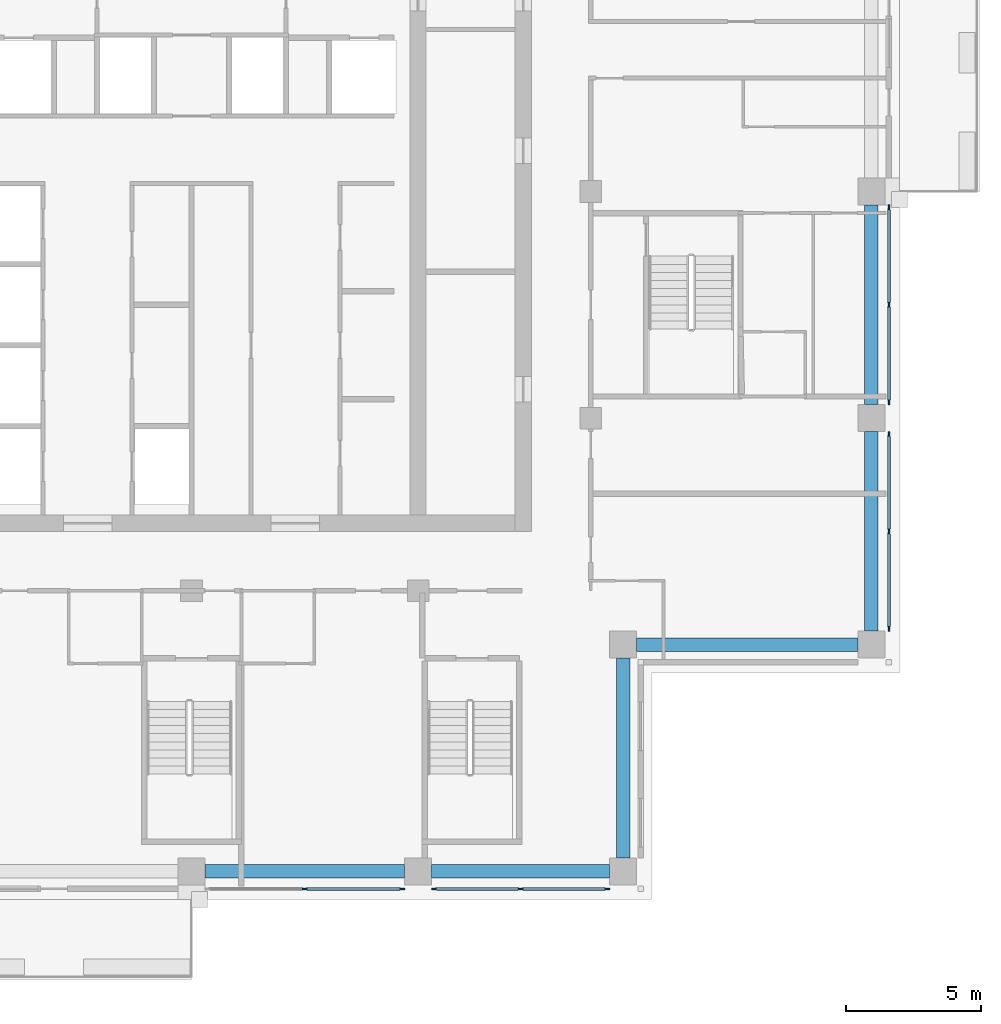
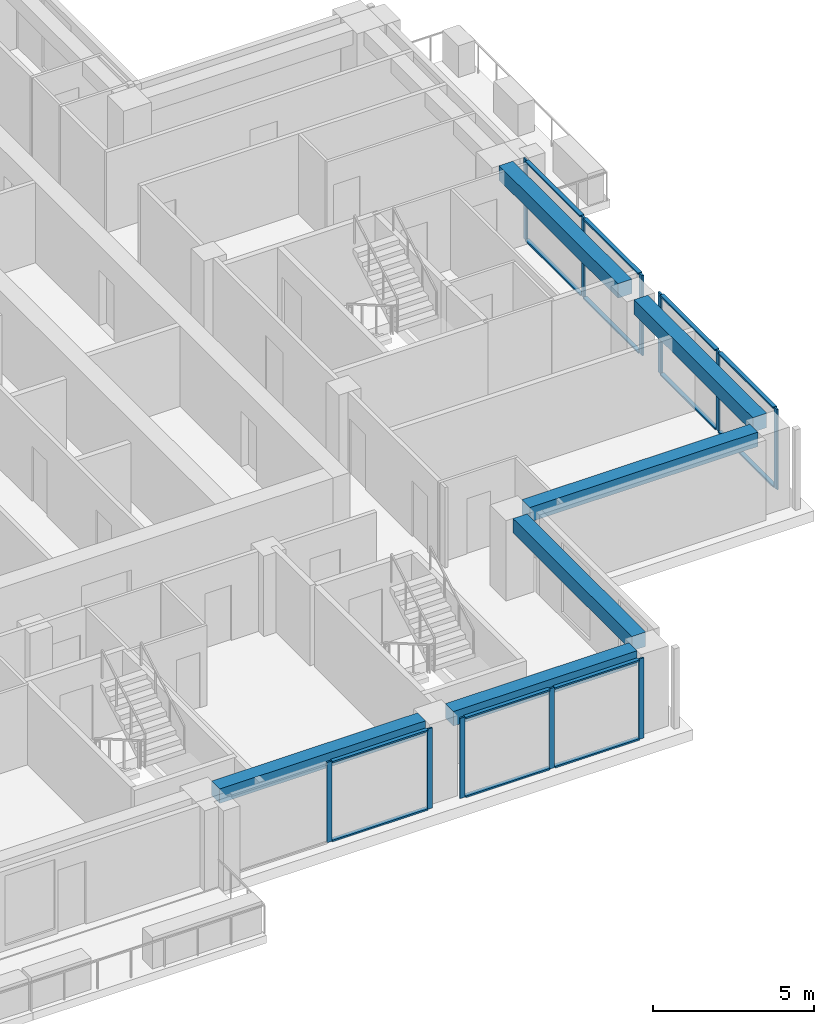
# One storey, part 4 of 15: 25 members, 6 beams, 4 elements without a shape of their own.
"""IFC4 building model written with IfcOpenShell, lengths in metres."""

import ifcopenshell
import ifcopenshell.guid

model = None  # the IFC model being written
_history = None  # IfcOwnerHistory: only IFC2X3 demands one
_inside = {}  # id of a spatial element -> (the spatial element, [elements in it])
_under = {}  # id of a project, library or spatial element -> (it, [spatial elements below it])
_declared = {}  # id of a project -> (the project, [libraries it declares])
_typed = {}  # id of a type object -> (the type object, [elements of that type])
_made_of = {}  # id of a material, layer set ... -> (it, [elements and type objects made of it])


def new_model(schema):
    """Start an empty IFC model of exactly this schema.

    Asked for "IFC4X3", IfcOpenShell would pick the latest addendum, in which some entities
    have other attributes; the version numbers below select the first issue.
    IFC2X3 requires an IfcOwnerHistory on every rooted entity: one is made here for all.
    """
    global model, _history
    if schema == "IFC4X3":
        model = ifcopenshell.file(schema_version=(4, 3, 0, 0))
    else:
        model = ifcopenshell.file(schema=schema)
    _inside.clear()
    _under.clear()
    _declared.clear()
    _typed.clear()
    _made_of.clear()
    _history = None
    if model.schema == "IFC2X3":
        org = make("IfcOrganization", Name="unknown")
        user = make(
            "IfcPersonAndOrganization",
            ThePerson=make("IfcPerson", FamilyName="unknown"),
            TheOrganization=org,
        )
        app = make(
            "IfcApplication",
            ApplicationDeveloper=org,
            Version="unknown",
            ApplicationFullName="unknown",
            ApplicationIdentifier="unknown",
        )
        _history = make(
            "IfcOwnerHistory",
            OwningUser=user,
            OwningApplication=app,
            ChangeAction="ADDED",
            CreationDate=0,
        )
    return model


def make(cls, **values):
    """One entity of the class cls with the attributes given. An attribute that is None is left unset."""
    return model.create_entity(
        cls, **{name: value for name, value in values.items() if value is not None}
    )


def rooted(cls, **values):
    """An entity with a GlobalId (a new one), such as an element, a storey or a relation."""
    return make(cls, GlobalId=ifcopenshell.guid.new(), OwnerHistory=_history, **values)


def si_unit(unit_type, name, prefix=None):
    """IfcSIUnit, for example si_unit("LENGTHUNIT", "METRE", prefix="MILLI")."""
    return make("IfcSIUnit", UnitType=unit_type, Prefix=prefix, Name=name)


def assignment(units):
    """IfcUnitAssignment: the units of a project."""
    return None if units is None else make("IfcUnitAssignment", Units=units)


def point(xyz):
    """IfcCartesianPoint."""
    return None if xyz is None else make("IfcCartesianPoint", Coordinates=xyz)


def direction(xyz):
    """IfcDirection."""
    return None if xyz is None else make("IfcDirection", DirectionRatios=xyz)


def frame(location, z_axis=None, x_axis=None):
    """IfcAxis2Placement3D, a coordinate frame: its origin and axes. An axis left out is left unset."""
    return make(
        "IfcAxis2Placement3D",
        Location=point(location),
        Axis=direction(z_axis),
        RefDirection=direction(x_axis),
    )


def frame_2d(location, x_axis=None):
    """IfcAxis2Placement2D, a coordinate frame in the plane: its origin and x axis."""
    return make(
        "IfcAxis2Placement2D", Location=point(location), RefDirection=direction(x_axis)
    )


def origin():
    """The frame at (0, 0, 0) with its axes left unset."""
    return frame((0.0, 0.0, 0.0))


def origin_2d():
    """The frame at (0, 0) in the plane with its x axis left unset."""
    return frame_2d((0.0, 0.0))


def place(relative_to, where):
    """IfcLocalPlacement: puts the frame where relative to a parent placement (None: the world)."""
    return make(
        "IfcLocalPlacement", PlacementRelTo=relative_to, RelativePlacement=where
    )


def context(
    kind, dimensions, precision=None, world=None, true_north=None, identifier=None
):
    """IfcGeometricRepresentationContext, for example the 3D "Model" context."""
    return make(
        "IfcGeometricRepresentationContext",
        ContextIdentifier=identifier,
        ContextType=kind,
        CoordinateSpaceDimension=dimensions,
        Precision=precision,
        WorldCoordinateSystem=world,
        TrueNorth=true_north,
    )


def subcontext(parent, identifier, kind, view, scale=None):
    """IfcGeometricRepresentationSubContext, for example "Body" below "Model"."""
    return make(
        "IfcGeometricRepresentationSubContext",
        ContextIdentifier=identifier,
        ContextType=kind,
        ParentContext=parent,
        TargetScale=scale,
        TargetView=view,
    )


def project(units=None, contexts=None):
    """IfcProject with its units and contexts."""
    return rooted(
        "IfcProject",
        Name="project",
        RepresentationContexts=contexts,
        UnitsInContext=assignment(units),
    )


def spatial(cls, under=None, at=None, **own):
    """A site, building, storey or space (cls), placed at a placement, below another one or the project."""
    s = rooted(cls, ObjectPlacement=at, **own)
    if under is not None:
        _under.setdefault(under.id(), (under, []))[1].append(s)
    return s


def profile(cls, at=None, kind="AREA", **sizes):
    """A parametric profile (cls). Its sizes go by their IFC names, for example OverallWidth=200.0."""
    return make(cls, ProfileType=kind, Position=at, **sizes)


def rectangle(**sizes):
    """IfcRectangleProfileDef."""
    return profile("IfcRectangleProfileDef", **sizes)


def extrude(swept, where, along, depth):
    """IfcExtrudedAreaSolid: the profile swept, set in the frame where, extruded along a direction by depth."""
    return make(
        "IfcExtrudedAreaSolid",
        SweptArea=swept,
        Position=where,
        ExtrudedDirection=direction(along),
        Depth=depth,
    )


def shape(context_of_items, identifier, shape_type, items):
    """IfcShapeRepresentation: the items that make up one representation, for example the "Body"."""
    return make(
        "IfcShapeRepresentation",
        ContextOfItems=context_of_items,
        RepresentationIdentifier=identifier,
        RepresentationType=shape_type,
        Items=items,
    )


def material(Name=None, Category=None):
    """IfcMaterial."""
    return make("IfcMaterial", Name=Name, Category=Category)


def material_profile(
    of_material, cross_section, Name=None, Category=None, Priority=None
):
    """IfcMaterialProfile: a cross section and its material."""
    return make(
        "IfcMaterialProfile",
        Name=Name,
        Material=of_material,
        Profile=cross_section,
        Priority=Priority,
        Category=Category,
    )


def profile_set(profiles, Name=None, composite=None):
    """IfcMaterialProfileSet."""
    return make(
        "IfcMaterialProfileSet",
        Name=Name,
        MaterialProfiles=profiles,
        CompositeProfile=composite,
    )


def made_of(thing, what):
    """Note that an element or type object is made of a material, layer set ...; save() writes the relation."""
    if what is not None:
        _made_of.setdefault(what.id(), (what, []))[1].append(thing)
    return thing


def type_object(cls, material=None, **own):
    """A type object (cls), such as IfcWallType, which elements share."""
    return made_of(rooted(cls, **own), material)


def element(
    cls,
    number,
    at=None,
    inside=None,
    cuts=None,
    type_object=None,
    material=None,
    context=None,
    identifier="Body",
    shape_type=None,
    held_by="IfcProductDefinitionShape",
    body=None,
    shapes=None,
    **own,
):
    """One element of the class cls, such as IfcWall. Its Tag is "e" and its number.

    at: its placement. inside: the storey or other place that contains it. cuts: it is an
    opening in that element (IfcRelVoidsElement). A single representation is given by context,
    identifier, shape_type and body (its items); several are given by shapes. held_by: the class
    of the entity that holds the representations. save() writes the other relations.
    """
    e = rooted(cls, Tag="e%d" % number, ObjectPlacement=at, **own)
    if body is not None:
        shapes = [shape(context, identifier, shape_type, body)]
    if shapes is not None:
        e.Representation = make(held_by, Representations=shapes)
    if inside is not None:
        _inside.setdefault(inside.id(), (inside, []))[1].append(e)
    if cuts is not None:
        rooted(
            "IfcRelVoidsElement", RelatingBuildingElement=cuts, RelatedOpeningElement=e
        )
    if type_object is not None:
        _typed.setdefault(type_object.id(), (type_object, []))[1].append(e)
    return made_of(e, material)


def aggregate(whole, parts):
    """IfcRelAggregates: a whole, such as a stair, and the parts it consists of."""
    return rooted("IfcRelAggregates", RelatingObject=whole, RelatedObjects=parts)


def save(model, path):
    """Write the relations noted so far, then the file.

    IfcRelAggregates (storeys below a building ...), IfcRelContainedInSpatialStructure (elements
    in a storey), IfcRelDefinesByType, IfcRelAssociatesMaterial and IfcRelDeclares: one each for
    every whole, place, type object, material and project.
    """
    for whole, parts in _under.values():
        aggregate(whole, parts)
    for where, things in _inside.values():
        rooted(
            "IfcRelContainedInSpatialStructure",
            RelatedElements=things,
            RelatingStructure=where,
        )
    for kind, things in _typed.values():
        rooted("IfcRelDefinesByType", RelatedObjects=things, RelatingType=kind)
    for what, things in _made_of.values():
        rooted("IfcRelAssociatesMaterial", RelatedObjects=things, RelatingMaterial=what)
    for by, libraries in _declared.values():
        rooted("IfcRelDeclares", RelatingContext=by, RelatedDefinitions=libraries)
    model.write(path)


model = new_model("IFC4")

# Units and contexts
model_context = context("Model", 3, precision=1e-05, world=origin(), true_north=direction((0.0, 1.0)))
body_context = subcontext(model_context, "Body", "Model", "MODEL_VIEW")
ifc_project = project(units=[si_unit("LENGTHUNIT", "METRE"), si_unit("AREAUNIT", "SQUARE_METRE"), si_unit("VOLUMEUNIT", "CUBIC_METRE"), si_unit("PLANEANGLEUNIT", "RADIAN"), si_unit("MASSUNIT", "GRAM", prefix="KILO")], contexts=[model_context])

# Site, building, storey
site_placement = place(None, origin())
site = spatial("IfcSite", under=ifc_project, at=site_placement, CompositionType="ELEMENT")
building_placement = place(site_placement, origin())
building = spatial("IfcBuilding", under=site, at=building_placement, Name="Vermilion Ogive Tower", CompositionType="ELEMENT")
storey_placement = place(building_placement, frame((0.0, 0.0, 210.050048828125)))
storey = spatial("IfcBuildingStorey", under=building, at=storey_placement, Name="L55", CompositionType="ELEMENT", Elevation=210.050048828125)

# Curtain wall, members
ifc_material_1 = material(Name="Low-iron laminated glazing in aluminium frame", Category="aluminium")
curtain_wall_type = type_object("IfcCurtainWallType", Name="Curtain wall CW7", PredefinedType="NOTDEFINED", material=ifc_material_1)
curtain_wall_1_placement = place(storey_placement, origin())
curtain_wall_1 = element("IfcCurtainWall", 1, at=curtain_wall_1_placement, inside=storey, type_object=curtain_wall_type, Name="Glazed skin S3", PredefinedType="NOTDEFINED")
ifc_material_2 = material(Name="Aluminium mullion", Category="aluminium")
ifc_material_profile_1 = material_profile(ifc_material_2, rectangle(XDim=0.06005859375, YDim=0.179931640625, at=origin_2d()), Name="AL 60x180")
ifc_profile_set_1 = profile_set([ifc_material_profile_1], Name="Aluminium mullion")
member_type_1 = type_object("IfcMemberType", Name="CW7 mullion 60x180", PredefinedType="MULLION", material=ifc_profile_set_1)
member_1_placement = place(storey_placement, frame((4.199951171875, -21.64990234375, 0.0), z_axis=(0.0, 0.0, 1.0), x_axis=(0.0, 1.0, 0.0)))
member_1 = element("IfcMember", 2, at=member_1_placement, type_object=member_type_1, Name="CW7-S3 mullion 2", PredefinedType="MULLION", context=body_context, shape_type="SweptSolid", body=[
    extrude(rectangle(XDim=0.06005859375, YDim=0.179931640625, at=origin_2d()), origin(), (0.0, 0.0, 1.0), 3.050048828125),
])
member_2_placement = place(storey_placement, frame((7.81005859375, -21.64990234375, 0.0), z_axis=(0.0, 0.0, 1.0), x_axis=(0.0, 1.0, 0.0)))
member_2 = element("IfcMember", 3, at=member_2_placement, type_object=member_type_1, Name="CW7-S3 mullion 3", PredefinedType="MULLION", context=body_context, shape_type="SweptSolid", body=[
    extrude(rectangle(XDim=0.06005859375, YDim=0.179931640625, at=origin_2d()), origin(), (0.0, 0.0, 1.0), 3.050048828125),
])

curtain_wall_2_placement = place(storey_placement, origin())
curtain_wall_2 = element("IfcCurtainWall", 4, at=curtain_wall_2_placement, inside=storey, type_object=curtain_wall_type, Name="Glazed skin S4", PredefinedType="NOTDEFINED")
member_3_placement = place(storey_placement, frame((8.989990234375, -21.64990234375, 0.0), z_axis=(0.0, 0.0, 1.0), x_axis=(0.0, 1.0, 0.0)))
member_3 = element("IfcMember", 5, at=member_3_placement, type_object=member_type_1, Name="CW7-S4 mullion 1", PredefinedType="MULLION", context=body_context, shape_type="SweptSolid", body=[
    extrude(rectangle(XDim=0.06005859375, YDim=0.179931640625, at=origin_2d()), origin(), (0.0, 0.0, 1.0), 3.050048828125),
])
member_4_placement = place(storey_placement, frame((12.199951171875, -21.64990234375, 0.0), z_axis=(0.0, 0.0, 1.0), x_axis=(0.0, 1.0, 0.0)))
member_4 = element("IfcMember", 6, at=member_4_placement, type_object=member_type_1, Name="CW7-S4 mullion 2", PredefinedType="MULLION", context=body_context, shape_type="SweptSolid", body=[
    extrude(rectangle(XDim=0.06005859375, YDim=0.179931640625, at=origin_2d()), origin(), (0.0, 0.0, 1.0), 3.050048828125),
])
member_5_placement = place(storey_placement, frame((15.409912109375, -21.64990234375, 0.0), z_axis=(0.0, 0.0, 1.0), x_axis=(0.0, 1.0, 0.0)))
member_5 = element("IfcMember", 7, at=member_5_placement, type_object=member_type_1, Name="CW7-S4 mullion 3", PredefinedType="MULLION", context=body_context, shape_type="SweptSolid", body=[
    extrude(rectangle(XDim=0.06005859375, YDim=0.179931640625, at=origin_2d()), origin(), (0.0, 0.0, 1.0), 3.050048828125),
])

curtain_wall_3_placement = place(storey_placement, origin())
curtain_wall_3 = element("IfcCurtainWall", 8, at=curtain_wall_3_placement, inside=storey, type_object=curtain_wall_type, Name="Glazed skin E1", PredefinedType="NOTDEFINED")
member_6_placement = place(storey_placement, frame((25.85009765625, -12.010009765625, 0.0), z_axis=(0.0, 0.0, 1.0), x_axis=(-1.0, 0.0, 0.0)))
member_6 = element("IfcMember", 9, at=member_6_placement, type_object=member_type_1, Name="CW7-E1 mullion 1", PredefinedType="MULLION", context=body_context, shape_type="SweptSolid", body=[
    extrude(rectangle(XDim=0.06005859375, YDim=0.179931640625, at=origin_2d()), origin(), (0.0, 0.0, 1.0), 3.050048828125),
])
member_7_placement = place(storey_placement, frame((25.85009765625, -8.39990234375, 0.0), z_axis=(0.0, 0.0, 1.0), x_axis=(-1.0, 0.0, 0.0)))
member_7 = element("IfcMember", 10, at=member_7_placement, type_object=member_type_1, Name="CW7-E1 mullion 2", PredefinedType="MULLION", context=body_context, shape_type="SweptSolid", body=[
    extrude(rectangle(XDim=0.06005859375, YDim=0.179931640625, at=origin_2d()), origin(), (0.0, 0.0, 1.0), 3.050048828125),
])
member_8_placement = place(storey_placement, frame((25.85009765625, -4.7900390625, 0.0), z_axis=(0.0, 0.0, 1.0), x_axis=(-1.0, 0.0, 0.0)))
member_8 = element("IfcMember", 11, at=member_8_placement, type_object=member_type_1, Name="CW7-E1 mullion 3", PredefinedType="MULLION", context=body_context, shape_type="SweptSolid", body=[
    extrude(rectangle(XDim=0.06005859375, YDim=0.179931640625, at=origin_2d()), origin(), (0.0, 0.0, 1.0), 3.050048828125),
])

curtain_wall_4_placement = place(storey_placement, origin())
curtain_wall_4 = element("IfcCurtainWall", 12, at=curtain_wall_4_placement, inside=storey, type_object=curtain_wall_type, Name="Glazed skin E2", PredefinedType="NOTDEFINED")
member_9_placement = place(storey_placement, frame((25.85009765625, -3.610107421875, 0.0), z_axis=(0.0, 0.0, 1.0), x_axis=(-1.0, 0.0, 0.0)))
member_9 = element("IfcMember", 13, at=member_9_placement, type_object=member_type_1, Name="CW7-E2 mullion 1", PredefinedType="MULLION", context=body_context, shape_type="SweptSolid", body=[
    extrude(rectangle(XDim=0.06005859375, YDim=0.179931640625, at=origin_2d()), origin(), (0.0, 0.0, 1.0), 3.050048828125),
])
member_10_placement = place(storey_placement, frame((25.85009765625, 0.0, 0.0), z_axis=(0.0, 0.0, 1.0), x_axis=(-1.0, 0.0, 0.0)))
member_10 = element("IfcMember", 14, at=member_10_placement, type_object=member_type_1, Name="CW7-E2 mullion 2", PredefinedType="MULLION", context=body_context, shape_type="SweptSolid", body=[
    extrude(rectangle(XDim=0.06005859375, YDim=0.179931640625, at=origin_2d()), origin(), (0.0, 0.0, 1.0), 3.050048828125),
])
member_11_placement = place(storey_placement, frame((25.85009765625, 3.610107421875, 0.0), z_axis=(0.0, 0.0, 1.0), x_axis=(-1.0, 0.0, 0.0)))
member_11 = element("IfcMember", 15, at=member_11_placement, type_object=member_type_1, Name="CW7-E2 mullion 3", PredefinedType="MULLION", context=body_context, shape_type="SweptSolid", body=[
    extrude(rectangle(XDim=0.06005859375, YDim=0.179931640625, at=origin_2d()), origin(), (0.0, 0.0, 1.0), 3.050048828125),
])

# Member
ifc_material_3 = material(Name="Aluminium transom", Category="aluminium")
ifc_material_profile_2 = material_profile(ifc_material_3, rectangle(XDim=0.139892578125, YDim=0.06005859375, at=origin_2d()), Name="AL 60x140")
ifc_profile_set_2 = profile_set([ifc_material_profile_2], Name="Aluminium transom")
member_type_2 = type_object("IfcMemberType", Name="CW7 transom 60x140", PredefinedType="USERDEFINED", material=ifc_profile_set_2)
member_12_placement = place(storey_placement, frame((4.2900390625, -21.64990234375, 0.030029296875), z_axis=(1.0, 0.0, 0.0), x_axis=(0.0, 1.0, 0.0)))
member_12 = element("IfcMember", 16, at=member_12_placement, type_object=member_type_2, Name="CW7-S3 transom 2.1", ObjectType="TRANSOM", PredefinedType="USERDEFINED", context=body_context, shape_type="SweptSolid", body=[
    extrude(rectangle(XDim=0.139892578125, YDim=0.06005859375, at=origin_2d()), origin(), (0.0, 0.0, 1.0), 3.429931640625),
])

member_13_placement = place(storey_placement, frame((4.2900390625, -21.64990234375, 3.02001953125), z_axis=(1.0, 0.0, 0.0), x_axis=(0.0, 1.0, 0.0)))
member_13 = element("IfcMember", 17, at=member_13_placement, type_object=member_type_2, Name="CW7-S3 transom 2.2", ObjectType="TRANSOM", PredefinedType="USERDEFINED", context=body_context, shape_type="SweptSolid", body=[
    extrude(rectangle(XDim=0.139892578125, YDim=0.06005859375, at=origin_2d()), origin(), (0.0, 0.0, 1.0), 3.429931640625),
])

aggregate(curtain_wall_1, [member_1, member_2, member_12, member_13])

member_14_placement = place(storey_placement, frame((9.080078125, -21.64990234375, 0.030029296875), z_axis=(1.0, 0.0, 0.0), x_axis=(0.0, 1.0, 0.0)))
member_14 = element("IfcMember", 18, at=member_14_placement, type_object=member_type_2, Name="CW7-S4 transom 1.1", ObjectType="TRANSOM", PredefinedType="USERDEFINED", context=body_context, shape_type="SweptSolid", body=[
    extrude(rectangle(XDim=0.139892578125, YDim=0.06005859375, at=origin_2d()), origin(), (0.0, 0.0, 1.0), 3.030029296875),
])

member_15_placement = place(storey_placement, frame((9.080078125, -21.64990234375, 3.02001953125), z_axis=(1.0, 0.0, 0.0), x_axis=(0.0, 1.0, 0.0)))
member_15 = element("IfcMember", 19, at=member_15_placement, type_object=member_type_2, Name="CW7-S4 transom 1.2", ObjectType="TRANSOM", PredefinedType="USERDEFINED", context=body_context, shape_type="SweptSolid", body=[
    extrude(rectangle(XDim=0.139892578125, YDim=0.06005859375, at=origin_2d()), origin(), (0.0, 0.0, 1.0), 3.030029296875),
])

member_16_placement = place(storey_placement, frame((12.2900390625, -21.64990234375, 0.030029296875), z_axis=(1.0, 0.0, 0.0), x_axis=(0.0, 1.0, 0.0)))
member_16 = element("IfcMember", 20, at=member_16_placement, type_object=member_type_2, Name="CW7-S4 transom 2.1", ObjectType="TRANSOM", PredefinedType="USERDEFINED", context=body_context, shape_type="SweptSolid", body=[
    extrude(rectangle(XDim=0.139892578125, YDim=0.06005859375, at=origin_2d()), origin(), (0.0, 0.0, 1.0), 3.030029296875),
])

member_17_placement = place(storey_placement, frame((12.2900390625, -21.64990234375, 3.02001953125), z_axis=(1.0, 0.0, 0.0), x_axis=(0.0, 1.0, 0.0)))
member_17 = element("IfcMember", 21, at=member_17_placement, type_object=member_type_2, Name="CW7-S4 transom 2.2", ObjectType="TRANSOM", PredefinedType="USERDEFINED", context=body_context, shape_type="SweptSolid", body=[
    extrude(rectangle(XDim=0.139892578125, YDim=0.06005859375, at=origin_2d()), origin(), (0.0, 0.0, 1.0), 3.030029296875),
])

aggregate(curtain_wall_2, [member_3, member_4, member_5, member_14, member_15, member_16, member_17])

member_18_placement = place(storey_placement, frame((25.85009765625, -11.919921875, 0.030029296875), z_axis=(0.0, 1.0, 0.0), x_axis=(-1.0, 0.0, 0.0)))
member_18 = element("IfcMember", 22, at=member_18_placement, type_object=member_type_2, Name="CW7-E1 transom 1.1", ObjectType="TRANSOM", PredefinedType="USERDEFINED", context=body_context, shape_type="SweptSolid", body=[
    extrude(rectangle(XDim=0.139892578125, YDim=0.06005859375, at=origin_2d()), origin(), (0.0, 0.0, 1.0), 3.429931640625),
])

member_19_placement = place(storey_placement, frame((25.85009765625, -11.919921875, 3.02001953125), z_axis=(0.0, 1.0, 0.0), x_axis=(-1.0, 0.0, 0.0)))
member_19 = element("IfcMember", 23, at=member_19_placement, type_object=member_type_2, Name="CW7-E1 transom 1.2", ObjectType="TRANSOM", PredefinedType="USERDEFINED", context=body_context, shape_type="SweptSolid", body=[
    extrude(rectangle(XDim=0.139892578125, YDim=0.06005859375, at=origin_2d()), origin(), (0.0, 0.0, 1.0), 3.429931640625),
])

member_20_placement = place(storey_placement, frame((25.85009765625, -8.31005859375, 0.030029296875), z_axis=(0.0, 1.0, 0.0), x_axis=(-1.0, 0.0, 0.0)))
member_20 = element("IfcMember", 24, at=member_20_placement, type_object=member_type_2, Name="CW7-E1 transom 2.1", ObjectType="TRANSOM", PredefinedType="USERDEFINED", context=body_context, shape_type="SweptSolid", body=[
    extrude(rectangle(XDim=0.139892578125, YDim=0.06005859375, at=origin_2d()), origin(), (0.0, 0.0, 1.0), 3.43017578125),
])

member_21_placement = place(storey_placement, frame((25.85009765625, -8.31005859375, 3.02001953125), z_axis=(0.0, 1.0, 0.0), x_axis=(-1.0, 0.0, 0.0)))
member_21 = element("IfcMember", 25, at=member_21_placement, type_object=member_type_2, Name="CW7-E1 transom 2.2", ObjectType="TRANSOM", PredefinedType="USERDEFINED", context=body_context, shape_type="SweptSolid", body=[
    extrude(rectangle(XDim=0.139892578125, YDim=0.06005859375, at=origin_2d()), origin(), (0.0, 0.0, 1.0), 3.43017578125),
])

aggregate(curtain_wall_3, [member_6, member_7, member_8, member_18, member_19, member_20, member_21])

member_22_placement = place(storey_placement, frame((25.85009765625, -3.52001953125, 0.030029296875), z_axis=(0.0, 1.0, 0.0), x_axis=(-1.0, 0.0, 0.0)))
member_22 = element("IfcMember", 26, at=member_22_placement, type_object=member_type_2, Name="CW7-E2 transom 1.1", ObjectType="TRANSOM", PredefinedType="USERDEFINED", context=body_context, shape_type="SweptSolid", body=[
    extrude(rectangle(XDim=0.139892578125, YDim=0.06005859375, at=origin_2d()), origin(), (0.0, 0.0, 1.0), 3.429931640625),
])

member_23_placement = place(storey_placement, frame((25.85009765625, -3.52001953125, 3.02001953125), z_axis=(0.0, 1.0, 0.0), x_axis=(-1.0, 0.0, 0.0)))
member_23 = element("IfcMember", 27, at=member_23_placement, type_object=member_type_2, Name="CW7-E2 transom 1.2", ObjectType="TRANSOM", PredefinedType="USERDEFINED", context=body_context, shape_type="SweptSolid", body=[
    extrude(rectangle(XDim=0.139892578125, YDim=0.06005859375, at=origin_2d()), origin(), (0.0, 0.0, 1.0), 3.429931640625),
])

member_24_placement = place(storey_placement, frame((25.85009765625, 0.090087890625, 0.030029296875), z_axis=(0.0, 1.0, 0.0), x_axis=(-1.0, 0.0, 0.0)))
member_24 = element("IfcMember", 28, at=member_24_placement, type_object=member_type_2, Name="CW7-E2 transom 2.1", ObjectType="TRANSOM", PredefinedType="USERDEFINED", context=body_context, shape_type="SweptSolid", body=[
    extrude(rectangle(XDim=0.139892578125, YDim=0.06005859375, at=origin_2d()), origin(), (0.0, 0.0, 1.0), 3.429931640625),
])

member_25_placement = place(storey_placement, frame((25.85009765625, 0.090087890625, 3.02001953125), z_axis=(0.0, 1.0, 0.0), x_axis=(-1.0, 0.0, 0.0)))
member_25 = element("IfcMember", 29, at=member_25_placement, type_object=member_type_2, Name="CW7-E2 transom 2.2", ObjectType="TRANSOM", PredefinedType="USERDEFINED", context=body_context, shape_type="SweptSolid", body=[
    extrude(rectangle(XDim=0.139892578125, YDim=0.06005859375, at=origin_2d()), origin(), (0.0, 0.0, 1.0), 3.429931640625),
])

aggregate(curtain_wall_4, [member_9, member_10, member_11, member_22, member_23, member_24, member_25])

# Beams
ifc_material_4 = material(Name="Concrete B45", Category="concrete")
ifc_material_profile_3 = material_profile(ifc_material_4, rectangle(XDim=0.5, YDim=0.550048828125, at=origin_2d()), Name="500 x 550")
ifc_profile_set_3 = profile_set([ifc_material_profile_3], Name="Concrete B45")
beam_type = type_object("IfcBeamType", Name="Edge beam 500 x 550 B45", PredefinedType="BEAM", material=ifc_profile_set_3)
beam_1_placement = place(storey_placement, frame((0.5, -21.0, 2.77490234375), z_axis=(1.0, 0.0, 0.0), x_axis=(0.0, 1.0, 0.0)))
element("IfcBeam", 30, at=beam_1_placement, inside=storey, type_object=beam_type, Name="L55-EB-3", PredefinedType="BEAM", context=body_context, shape_type="SweptSolid", body=[
    extrude(rectangle(XDim=0.5, YDim=0.550048828125, at=origin_2d()), origin(), (0.0, 0.0, 1.0), 7.39990234375),
])
beam_2_placement = place(storey_placement, frame((8.89990234375, -21.0, 2.77490234375), z_axis=(1.0, 0.0, 0.0), x_axis=(0.0, 1.0, 0.0)))
element("IfcBeam", 31, at=beam_2_placement, inside=storey, type_object=beam_type, Name="L55-EB-4", PredefinedType="BEAM", context=body_context, shape_type="SweptSolid", body=[
    extrude(rectangle(XDim=0.5, YDim=0.550048828125, at=origin_2d()), origin(), (0.0, 0.0, 1.0), 6.60009765625),
])
beam_3_placement = place(storey_placement, frame((16.0, -20.5, 2.77490234375), z_axis=(0.0, 1.0, 0.0), x_axis=(-1.0, 0.0, 0.0)))
element("IfcBeam", 32, at=beam_3_placement, inside=storey, type_object=beam_type, Name="L55-EB-5", PredefinedType="BEAM", context=body_context, shape_type="SweptSolid", body=[
    extrude(rectangle(XDim=0.5, YDim=0.550048828125, at=origin_2d()), origin(), (0.0, 0.0, 1.0), 7.39990234375),
])
beam_4_placement = place(storey_placement, frame((16.5, -12.60009765625, 2.77490234375), z_axis=(1.0, 0.0, 0.0), x_axis=(0.0, 1.0, 0.0)))
element("IfcBeam", 33, at=beam_4_placement, inside=storey, type_object=beam_type, Name="L55-EB-6", PredefinedType="BEAM", context=body_context, shape_type="SweptSolid", body=[
    extrude(rectangle(XDim=0.5, YDim=0.550048828125, at=origin_2d()), origin(), (0.0, 0.0, 1.0), 8.199951171875),
])
beam_5_placement = place(storey_placement, frame((25.199951171875, -12.10009765625, 2.77490234375), z_axis=(0.0, 1.0, 0.0), x_axis=(-1.0, 0.0, 0.0)))
element("IfcBeam", 34, at=beam_5_placement, inside=storey, type_object=beam_type, Name="L55-EB-7", PredefinedType="BEAM", context=body_context, shape_type="SweptSolid", body=[
    extrude(rectangle(XDim=0.5, YDim=0.550048828125, at=origin_2d()), origin(), (0.0, 0.0, 1.0), 7.400146484375),
])
beam_6_placement = place(storey_placement, frame((25.199951171875, -3.699951171875, 2.77490234375), z_axis=(0.0, 1.0, 0.0), x_axis=(-1.0, 0.0, 0.0)))
element("IfcBeam", 35, at=beam_6_placement, inside=storey, type_object=beam_type, Name="L55-EB-8", PredefinedType="BEAM", context=body_context, shape_type="SweptSolid", body=[
    extrude(rectangle(XDim=0.5, YDim=0.550048828125, at=origin_2d()), origin(), (0.0, 0.0, 1.0), 7.39990234375),
])

save(model, "model.ifc")
